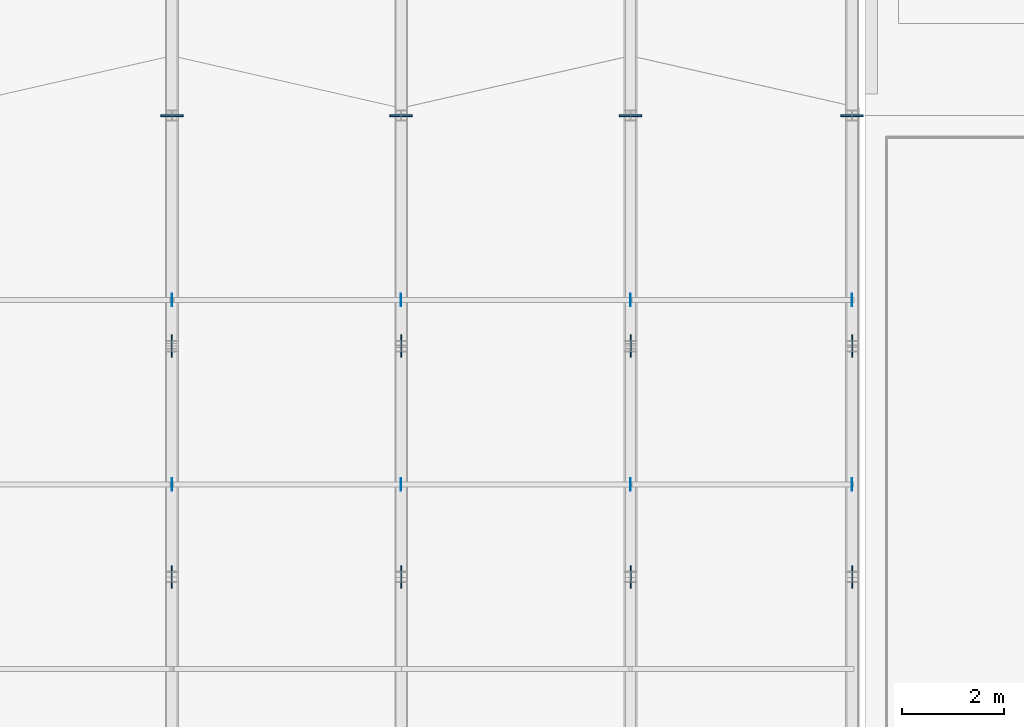
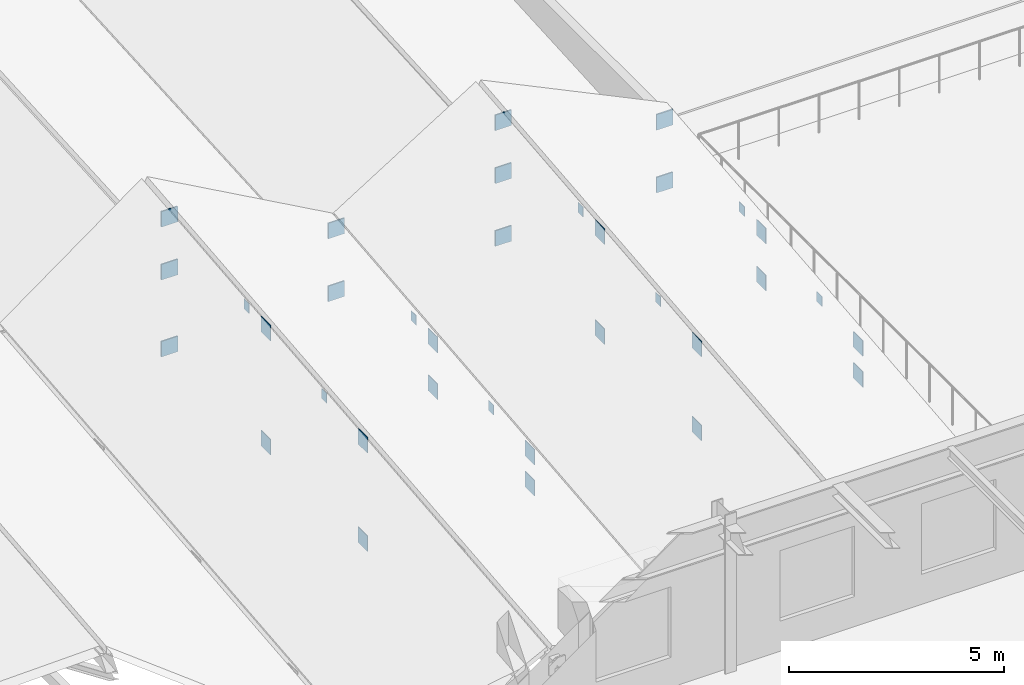
# One storey, part 114 of 142: 34 plates.
"""IFC4 building model written with IfcOpenShell, lengths in metres."""

from ifc_helpers import new_model, si_unit, direction, frame, origin, origin_2d, place, context, subcontext, project, spatial, rectangle, extrude, material, layer, layer_set, type_object, element, save


model = new_model("IFC4")

# Units and contexts
model_context = context("Model", 3, precision=1e-05, world=origin(), true_north=direction((0.0, 1.0)))
body_context = subcontext(model_context, "Body", "Model", "MODEL_VIEW")
ifc_project = project(units=[si_unit("LENGTHUNIT", "METRE"), si_unit("AREAUNIT", "SQUARE_METRE"), si_unit("VOLUMEUNIT", "CUBIC_METRE"), si_unit("PLANEANGLEUNIT", "RADIAN"), si_unit("MASSUNIT", "GRAM", prefix="KILO")], contexts=[model_context])

# Site, building, storey
site_placement = place(None, origin())
site = spatial("IfcSite", under=ifc_project, at=site_placement, CompositionType="ELEMENT")
building_placement = place(site_placement, origin())
building = spatial("IfcBuilding", under=site, at=building_placement, Name="Montelvaro Courts of Justice", CompositionType="ELEMENT")
storey_placement = place(building_placement, frame((0.0, 0.0, 14.39990234375)))
storey = spatial("IfcBuildingStorey", under=building, at=storey_placement, Name="L03", CompositionType="ELEMENT", Elevation=14.39990234375)

# Plates
ifc_material = material(Name="Steel S355", Category="steel")
ifc_layer_1 = layer(ifc_material, 0.011962890625)
ifc_layer_set_1 = layer_set([ifc_layer_1], Name="Steel S355")
plate_type_1 = type_object("IfcPlateType", Name="EndCapPlate_12", PredefinedType="USERDEFINED", material=ifc_layer_set_1)
for number, where, z_axis, x_axis, name in (
    (1, (85.52490234375, 34.800048828125, 2.52001953125), (0.0, 0.0, 1.0), (1.0, 0.0, 0.0), "Purlin End Cap Plate CP-01 02-3L-B"),
    (2, (90.0, 34.800048828125, 0.6201171875), (0.0, 0.0, 1.0), (1.0, 0.0, 0.0), "Purlin End Cap Plate CP-01 02-3R-B"),
    (3, (85.52490234375, 38.39990234375, 2.8798828125), (0.0, 0.0, 1.0), (1.0, 0.0, 0.0), "Purlin End Cap Plate CP-01 02-4L-B"),
    (4, (90.0, 38.39990234375, 0.97998046875), (0.0, 0.0, 1.0), (1.0, 0.0, 0.0), "Purlin End Cap Plate CP-01 02-4R-B"),
    (5, (94.47509765625, 34.800048828125, 2.1201171875), (0.0, 0.0, 1.0), (1.0, 0.0, 0.0), "Purlin End Cap Plate CP-01 03-3L-B"),
    (6, (98.800048828125, 34.800048828125, 0.6201171875), (0.0, 0.0, 1.0), (1.0, 0.0, 0.0), "Purlin End Cap Plate CP-01 03-3R-B"),
    (7, (94.47509765625, 38.39990234375, 2.47998046875), (0.0, 0.0, 1.0), (1.0, 0.0, 0.0), "Purlin End Cap Plate CP-01 03-4L-B"),
    (8, (98.800048828125, 38.39990234375, 0.97998046875), (0.0, 0.0, 1.0), (1.0, 0.0, 0.0), "Purlin End Cap Plate CP-01 03-4R-B"),
):
    element("IfcPlate", number, at=place(storey_placement, frame(where, z_axis=z_axis, x_axis=x_axis)), inside=storey, type_object=plate_type_1, Name=name, ObjectType="GUSSET PLATE", PredefinedType="USERDEFINED", context=body_context, shape_type="SweptSolid", body=[
        extrude(rectangle(XDim=0.011962890625, YDim=0.239990234375, at=origin_2d()), origin(), (0.0, 0.0, 1.0), 0.280029296875),
    ])
ifc_layer_2 = layer(ifc_material, 0.035888671875)
ifc_layer_set_2 = layer_set([ifc_layer_2], Name="Steel S355")
plate_type_2 = type_object("IfcPlateType", Name="EndCapPlate_36", PredefinedType="USERDEFINED", material=ifc_layer_set_2)
for number, where, z_axis, x_axis, name in (
    (9, (90.0, 42.0, -0.519775390625), (0.0, 0.0, 1.0), (1.0, 0.0, 0.0), "Roof Truss End Cap Plate CP-02 ROOF-PASSAGE-VTR05-B0"),
    (10, (98.800048828125, 42.0, -0.519775390625), (0.0, 0.0, 1.0), (1.0, 0.0, 0.0), "Roof Truss End Cap Plate CP-02 ROOF-PASSAGE-VTR06-B0"),
    (11, (85.52490234375, 42.0, -0.519775390625), (0.0, 0.0, 1.0), (1.0, 0.0, 0.0), "Roof Truss End Cap Plate CP-02 ROOF-PASSAGE-RTR04-B0"),
    (12, (85.52490234375, 42.0, 1.66015625), (0.0, 0.0, 1.0), (1.0, 0.0, 0.0), "Roof Truss End Cap Plate CP-02 ROOF-PASSAGE-RTR04-T0"),
    (13, (94.47509765625, 42.0, -0.519775390625), (0.0, 0.0, 1.0), (1.0, 0.0, 0.0), "Roof Truss End Cap Plate CP-02 ROOF-PASSAGE-RTR05-B0"),
    (14, (94.47509765625, 42.0, 1.260009765625), (0.0, 0.0, 1.0), (1.0, 0.0, 0.0), "Roof Truss End Cap Plate CP-02 ROOF-PASSAGE-RTR05-T0"),
    (15, (90.0, 42.0, 1.260009765625), (0.0, 0.0, 1.0), (1.0, 0.0, 0.0), "Roof Truss End Cap Plate CP-02 ROOF-PASSAGE-S-VTR03-T1"),
    (16, (98.800048828125, 42.0, 1.260009765625), (0.0, 0.0, 1.0), (1.0, 0.0, 0.0), "Roof Truss End Cap Plate CP-02 ROOF-PASSAGE-S-VTR04-T1"),
    (17, (85.52490234375, 42.0, 3.16015625), (0.0, 0.0, 1.0), (1.0, 0.0, 0.0), "Roof Truss End Cap Plate CP-02 ROOF-PASSAGE-S-RTR02-T1"),
    (18, (94.47509765625, 42.0, 2.760009765625), (0.0, 0.0, 1.0), (1.0, 0.0, 0.0), "Roof Truss End Cap Plate CP-02 ROOF-PASSAGE-S-RTR03-T1"),
):
    element("IfcPlate", number, at=place(storey_placement, frame(where, z_axis=z_axis, x_axis=x_axis)), inside=storey, type_object=plate_type_2, Name=name, ObjectType="GUSSET PLATE", PredefinedType="USERDEFINED", context=body_context, shape_type="SweptSolid", body=[
        extrude(rectangle(XDim=0.43994140625, YDim=0.035888671875, at=origin_2d()), origin(), (0.0, 0.0, 1.0), 0.43994140625),
    ])
ifc_layer_3 = layer(ifc_material, 0.02001953125)
ifc_layer_set_3 = layer_set([ifc_layer_3], Name="Steel S355")
plate_type_3 = type_object("IfcPlateType", Name="GussetPlate_20", PredefinedType="USERDEFINED", material=ifc_layer_set_3)
for number, where, z_axis, x_axis, name in (
    (19, (90.0, 33.0, -0.519775390625), (0.0, 0.0, 1.0), (1.0, 0.0, 0.0), "Roof Truss Gusset Plate GP-01 ROOF-PASSAGE-S-VTR03-2B"),
    (20, (90.0, 33.0, 0.360107421875), (0.0, 0.0, 1.0), (1.0, 0.0, 0.0), "Roof Truss Gusset Plate GP-01 ROOF-PASSAGE-S-VTR03-2T"),
    (21, (90.0, 37.5, -0.519775390625), (0.0, 0.0, 1.0), (1.0, 0.0, 0.0), "Roof Truss Gusset Plate GP-01 ROOF-PASSAGE-S-VTR03-3B"),
    (22, (90.0, 37.5, 0.81005859375), (0.0, 0.0, 1.0), (1.0, 0.0, 0.0), "Roof Truss Gusset Plate GP-01 ROOF-PASSAGE-S-VTR03-3T"),
    (23, (98.800048828125, 33.0, -0.519775390625), (0.0, 0.0, 1.0), (1.0, 0.0, 0.0), "Roof Truss Gusset Plate GP-01 ROOF-PASSAGE-S-VTR04-2B"),
    (24, (98.800048828125, 33.0, 0.360107421875), (0.0, 0.0, 1.0), (1.0, 0.0, 0.0), "Roof Truss Gusset Plate GP-01 ROOF-PASSAGE-S-VTR04-2T"),
    (25, (98.800048828125, 37.5, -0.519775390625), (0.0, 0.0, 1.0), (1.0, 0.0, 0.0), "Roof Truss Gusset Plate GP-01 ROOF-PASSAGE-S-VTR04-3B"),
    (26, (98.800048828125, 37.5, 0.81005859375), (0.0, 0.0, 1.0), (1.0, 0.0, 0.0), "Roof Truss Gusset Plate GP-01 ROOF-PASSAGE-S-VTR04-3T"),
    (27, (85.52490234375, 33.0, -0.519775390625), (0.0, 0.0, 1.0), (1.0, 0.0, 0.0), "Roof Truss Gusset Plate GP-01 ROOF-PASSAGE-S-RTR02-2B"),
    (28, (85.52490234375, 33.0, 2.260009765625), (0.0, 0.0, 1.0), (1.0, 0.0, 0.0), "Roof Truss Gusset Plate GP-01 ROOF-PASSAGE-S-RTR02-2T"),
    (29, (85.52490234375, 37.5, -0.519775390625), (0.0, 0.0, 1.0), (1.0, 0.0, 0.0), "Roof Truss Gusset Plate GP-01 ROOF-PASSAGE-S-RTR02-3B"),
    (30, (85.52490234375, 37.5, 2.710205078125), (0.0, 0.0, 1.0), (1.0, 0.0, 0.0), "Roof Truss Gusset Plate GP-01 ROOF-PASSAGE-S-RTR02-3T"),
    (31, (94.47509765625, 33.0, -0.519775390625), (0.0, 0.0, 1.0), (1.0, 0.0, 0.0), "Roof Truss Gusset Plate GP-01 ROOF-PASSAGE-S-RTR03-2B"),
    (32, (94.47509765625, 33.0, 1.860107421875), (0.0, 0.0, 1.0), (1.0, 0.0, 0.0), "Roof Truss Gusset Plate GP-01 ROOF-PASSAGE-S-RTR03-2T"),
    (33, (94.47509765625, 37.5, -0.519775390625), (0.0, 0.0, 1.0), (1.0, 0.0, 0.0), "Roof Truss Gusset Plate GP-01 ROOF-PASSAGE-S-RTR03-3B"),
    (34, (94.47509765625, 37.5, 2.31005859375), (0.0, 0.0, 1.0), (1.0, 0.0, 0.0), "Roof Truss Gusset Plate GP-01 ROOF-PASSAGE-S-RTR03-3T"),
):
    element("IfcPlate", number, at=place(storey_placement, frame(where, z_axis=z_axis, x_axis=x_axis)), inside=storey, type_object=plate_type_3, Name=name, ObjectType="GUSSET PLATE", PredefinedType="USERDEFINED", context=body_context, shape_type="SweptSolid", body=[
        extrude(rectangle(XDim=0.02001953125, YDim=0.43994140625, at=origin_2d()), origin(), (0.0, 0.0, 1.0), 0.43994140625),
    ])

save(model, "model.ifc")
